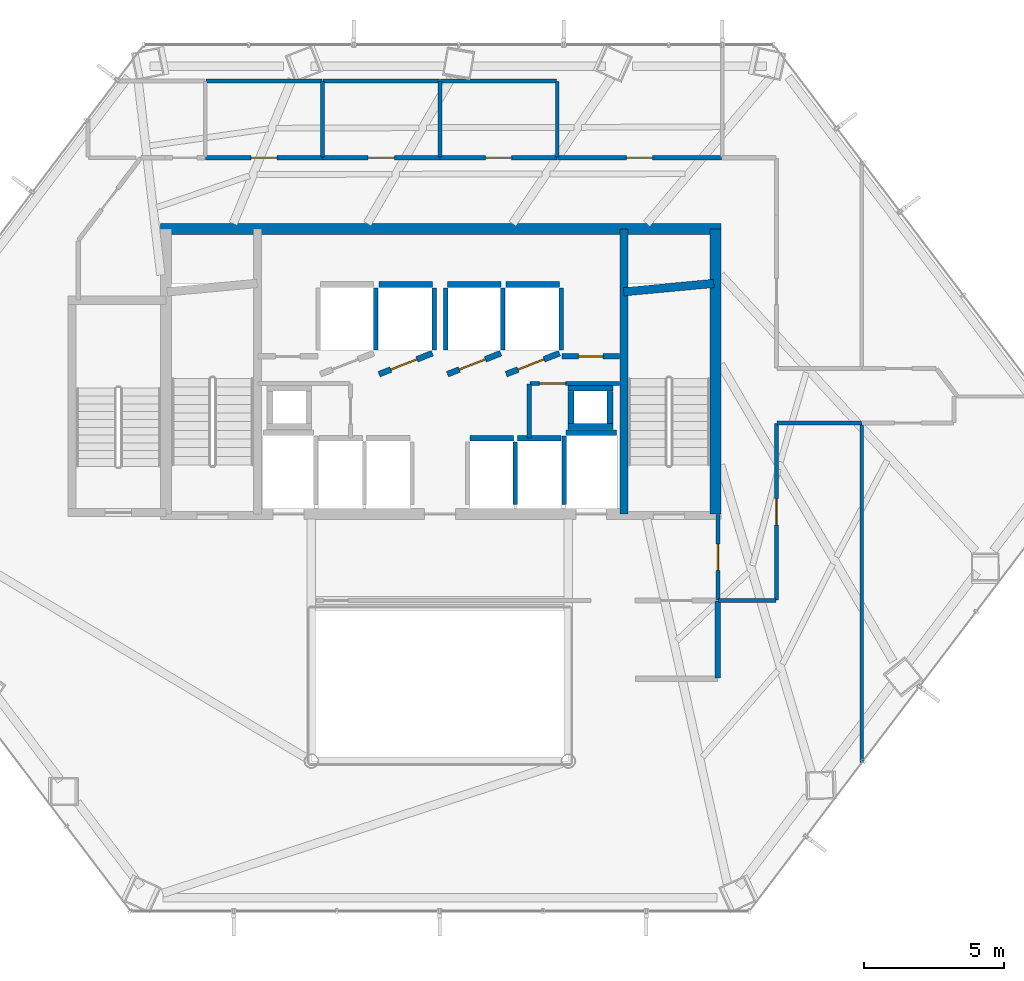
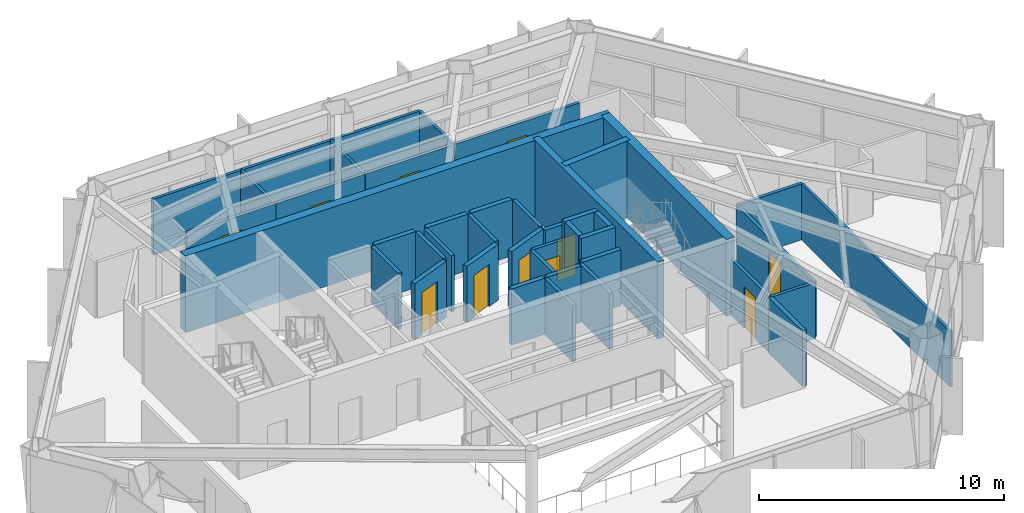
# One storey, part 25 of 27: 43 walls, 11 doors, 11 openings.
"""IFC4 building model written with IfcOpenShell, lengths in metres."""

from ifc_helpers import new_model, si_unit, direction, frame, frame_2d, origin, place, context, subcontext, project, spatial, rectangle, extrude, material, layer, layer_set, type_object, element, fill, save


model = new_model("IFC4")

# Units and contexts
model_context = context("Model", 3, precision=1e-05, world=origin(), true_north=direction((0.0, 1.0)))
body_context = subcontext(model_context, "Body", "Model", "MODEL_VIEW")
ifc_project = project(units=[si_unit("LENGTHUNIT", "METRE"), si_unit("AREAUNIT", "SQUARE_METRE"), si_unit("VOLUMEUNIT", "CUBIC_METRE"), si_unit("PLANEANGLEUNIT", "RADIAN"), si_unit("MASSUNIT", "GRAM", prefix="KILO")], contexts=[model_context])

# Site, building, storey
site_placement = place(None, origin())
site = spatial("IfcSite", under=ifc_project, at=site_placement, CompositionType="ELEMENT")
building_placement = place(site_placement, origin())
building = spatial("IfcBuilding", under=site, at=building_placement, Name="Zarrinselat Tower", CompositionType="ELEMENT")
storey_placement = place(building_placement, frame((0.0, 0.0, 47.93994140625)))
storey = spatial("IfcBuildingStorey", under=building, at=storey_placement, Name="L11", CompositionType="ELEMENT", Elevation=47.93994140625)

# Wall
ifc_material_1 = material(Name="Concrete C40/50", Category="concrete")
ifc_layer_1 = layer(ifc_material_1, 0.18994140625)
ifc_layer_set_1 = layer_set([ifc_layer_1], Name="Concrete C40/50")
wall_type_1 = type_object("IfcWallType", Name="WAL-PART-EI120", PredefinedType="PARTITIONING", material=ifc_layer_set_1)
wall_1_placement = place(storey_placement, frame((48.35009765625, 27.3701171875, 0.0), z_axis=(0.0, 0.0, 1.0), x_axis=(0.0, 1.0, 0.0)))
element("IfcWall", 1, at=wall_1_placement, inside=storey, type_object=wall_type_1, Name="L11 Partition Wall 11", PredefinedType="PARTITIONING", context=body_context, shape_type="SweptSolid", body=[
    extrude(rectangle(XDim=2.759765625, YDim=0.18994140625, at=frame_2d((1.3798828125, 0.0))), origin(), (0.0, 0.0, 1.0), 2.777099609375),
])

# Wall, opening, door
ifc_material_2 = material(Name="Fire-Rated Gypsum Board Partition", Category="gypsum")
ifc_layer_2 = layer(ifc_material_2, 0.14990234375)
ifc_layer_set_2 = layer_set([ifc_layer_2], Name="Fire-Rated Gypsum Board Partition")
wall_type_2 = type_object("IfcWallType", Name="WAL-PART-EI60", PredefinedType="PARTITIONING", material=ifc_layer_set_2)
wall_2_placement = place(storey_placement, frame((41.6201171875, 37.919921875, 0.0), z_axis=(0.0, 0.0, 1.0), x_axis=(1.0, 0.0, 0.0)))
wall_2 = element("IfcWall", 2, at=wall_2_placement, inside=storey, type_object=wall_type_2, Name="L11 Partition Wall 5", PredefinedType="PARTITIONING", context=body_context, shape_type="SweptSolid", body=[
    extrude(rectangle(XDim=3.21484375, YDim=0.14990234375, at=frame_2d((1.607421875, 0.0))), origin(), (0.0, 0.0, 1.0), 2.777099609375),
])
opening_1_placement = place(wall_2_placement, frame((0.33740234375, 0.0, 0.0)))
opening_1 = element("IfcOpeningElement", 3, at=opening_1_placement, cuts=wall_2, Name="Opening ID-04", PredefinedType="OPENING", context=body_context, shape_type="SweptSolid", body=[
    extrude(rectangle(XDim=0.93994140625, YDim=2.050048828125, at=frame_2d((0.469970703125, 1.02490234375))), frame((0.0, 0.0849609375, 0.0), z_axis=(0.0, -1.0, 0.0), x_axis=(1.0, 0.0, 0.0)), (0.0, 0.0, 1.0), 0.169921875),
])
ifc_material_3 = material(Name="Fire-Rated Gypsum Board Partition")
door_type_1 = type_object("IfcDoorType", Name="DR-INT-FD30-ENT", OperationType="NOTDEFINED", PredefinedType="DOOR", material=ifc_material_3)
door_1_placement = place(opening_1_placement, origin())
door_1 = element("IfcDoor", 4, at=door_1_placement, inside=storey, type_object=door_type_1, Name="L11 Interior Door P5", OperationType="SINGLE_SWING_RIGHT", OverallHeight=2.050048828125, OverallWidth=0.93994140625, PredefinedType="DOOR", context=body_context, shape_type="SweptSolid", body=[
    extrude(rectangle(XDim=0.93994140625, YDim=2.050048828125, at=frame_2d((0.469970703125, 1.02490234375))), frame((0.0, 0.02490234375, 0.0), z_axis=(0.0, -1.0, 0.0), x_axis=(1.0, 0.0, 0.0)), (0.0, 0.0, 1.0), 0.050048828125),
])
fill(opening_1, door_1)

# Wall
wall_3_placement = place(storey_placement, frame((41.60009765625, 35.969970703125, 0.0), z_axis=(0.0, 0.0, 1.0), x_axis=(0.0, 1.0, 0.0)))
element("IfcWall", 5, at=wall_3_placement, inside=storey, type_object=wall_type_2, Name="L11 Partition Wall 6", PredefinedType="PARTITIONING", context=body_context, shape_type="SweptSolid", body=[
    extrude(rectangle(XDim=1.929931640625, YDim=0.14990234375, at=frame_2d((0.96484375, 0.0))), origin(), (0.0, 0.0, 1.0), 2.777099609375),
])

# Wall, opening, door
wall_4_placement = place(storey_placement, frame((48.35009765625, 30.169921875, 0.0), z_axis=(0.0, 0.0, 1.0), x_axis=(0.0, 1.0, 0.0)))
wall_4 = element("IfcWall", 6, at=wall_4_placement, inside=storey, type_object=wall_type_2, Name="L11 Partition Wall 8", PredefinedType="PARTITIONING", context=body_context, shape_type="SweptSolid", body=[
    extrude(rectangle(XDim=3.06005859375, YDim=0.14990234375, at=frame_2d((1.530029296875, 0.0))), origin(), (0.0, 0.0, 1.0), 2.777099609375),
])
opening_2_placement = place(wall_4_placement, frame((1.06005859375, 0.0, 0.0)))
opening_2 = element("IfcOpeningElement", 7, at=opening_2_placement, cuts=wall_4, Name="Opening ID-04", PredefinedType="OPENING", context=body_context, shape_type="SweptSolid", body=[
    extrude(rectangle(XDim=0.93994140625, YDim=2.050048828125, at=frame_2d((0.469970703125, 1.02490234375))), frame((0.0, 0.0849609375, 0.0), z_axis=(0.0, -1.0, 0.0), x_axis=(1.0, 0.0, 0.0)), (0.0, 0.0, 1.0), 0.169921875),
])
door_2_placement = place(opening_2_placement, origin())
door_2 = element("IfcDoor", 8, at=door_2_placement, inside=storey, type_object=door_type_1, Name="L11 Interior Door P8", OperationType="SINGLE_SWING_RIGHT", OverallHeight=2.050048828125, OverallWidth=0.93994140625, PredefinedType="DOOR", context=body_context, shape_type="SweptSolid", body=[
    extrude(rectangle(XDim=0.93994140625, YDim=2.050048828125, at=frame_2d((0.469970703125, 1.02490234375))), frame((0.0, 0.02490234375, 0.0), z_axis=(0.0, -1.0, 0.0), x_axis=(1.0, 0.0, 0.0)), (0.0, 0.0, 1.0), 0.050048828125),
])
fill(opening_2, door_2)

wall_5_placement = place(storey_placement, frame((30.0048828125, 46.0, 0.0), z_axis=(0.0, 0.0, 1.0), x_axis=(1.0, 0.0, 0.0)))
wall_5 = element("IfcWall", 9, at=wall_5_placement, inside=storey, type_object=wall_type_2, Name="L11 Partition Wall 14", PredefinedType="PARTITIONING", context=body_context, shape_type="SweptSolid", body=[
    extrude(rectangle(XDim=4.190185546875, YDim=0.14990234375, at=frame_2d((2.09521484375, 0.0))), origin(), (0.0, 0.0, 1.0), 2.777099609375),
])
opening_3_placement = place(wall_5_placement, frame((1.625, 0.0, 0.0)))
opening_3 = element("IfcOpeningElement", 10, at=opening_3_placement, cuts=wall_5, Name="Opening ID-04", PredefinedType="OPENING", context=body_context, shape_type="SweptSolid", body=[
    extrude(rectangle(XDim=0.93994140625, YDim=2.050048828125, at=frame_2d((0.469970703125, 1.02490234375))), frame((0.0, 0.0849609375, 0.0), z_axis=(0.0, -1.0, 0.0), x_axis=(1.0, 0.0, 0.0)), (0.0, 0.0, 1.0), 0.169921875),
])
door_3_placement = place(opening_3_placement, origin())
door_3 = element("IfcDoor", 11, at=door_3_placement, inside=storey, type_object=door_type_1, Name="L11 Interior Door P14", OperationType="SINGLE_SWING_LEFT", OverallHeight=2.050048828125, OverallWidth=0.93994140625, PredefinedType="DOOR", context=body_context, shape_type="SweptSolid", body=[
    extrude(rectangle(XDim=0.93994140625, YDim=2.050048828125, at=frame_2d((0.469970703125, 1.02490234375))), frame((0.0, 0.02490234375, 0.0), z_axis=(0.0, -1.0, 0.0), x_axis=(1.0, 0.0, 0.0)), (0.0, 0.0, 1.0), 0.050048828125),
])
fill(opening_3, door_3)

wall_6_placement = place(storey_placement, frame((34.205078125, 46.0, 0.0), z_axis=(0.0, 0.0, 1.0), x_axis=(1.0, 0.0, 0.0)))
wall_6 = element("IfcWall", 12, at=wall_6_placement, inside=storey, type_object=wall_type_2, Name="L11 Partition Wall 15", PredefinedType="PARTITIONING", context=body_context, shape_type="SweptSolid", body=[
    extrude(rectangle(XDim=4.18994140625, YDim=0.14990234375, at=frame_2d((2.094970703125, 0.0))), origin(), (0.0, 0.0, 1.0), 2.777099609375),
])
opening_4_placement = place(wall_6_placement, frame((1.625, 0.0, 0.0)))
opening_4 = element("IfcOpeningElement", 13, at=opening_4_placement, cuts=wall_6, Name="Opening ID-04", PredefinedType="OPENING", context=body_context, shape_type="SweptSolid", body=[
    extrude(rectangle(XDim=0.93994140625, YDim=2.050048828125, at=frame_2d((0.469970703125, 1.02490234375))), frame((0.0, 0.0849609375, 0.0), z_axis=(0.0, -1.0, 0.0), x_axis=(1.0, 0.0, 0.0)), (0.0, 0.0, 1.0), 0.169921875),
])
door_4_placement = place(opening_4_placement, origin())
door_4 = element("IfcDoor", 14, at=door_4_placement, inside=storey, type_object=door_type_1, Name="L11 Interior Door P15", OperationType="SINGLE_SWING_RIGHT", OverallHeight=2.050048828125, OverallWidth=0.93994140625, PredefinedType="DOOR", context=body_context, shape_type="SweptSolid", body=[
    extrude(rectangle(XDim=0.93994140625, YDim=2.050048828125, at=frame_2d((0.469970703125, 1.02490234375))), frame((0.0, 0.02490234375, 0.0), z_axis=(0.0, -1.0, 0.0), x_axis=(1.0, 0.0, 0.0)), (0.0, 0.0, 1.0), 0.050048828125),
])
fill(opening_4, door_4)

wall_7_placement = place(storey_placement, frame((38.405029296875, 46.0, 0.0), z_axis=(0.0, 0.0, 1.0), x_axis=(1.0, 0.0, 0.0)))
wall_7 = element("IfcWall", 15, at=wall_7_placement, inside=storey, type_object=wall_type_2, Name="L11 Partition Wall 16", PredefinedType="PARTITIONING", context=body_context, shape_type="SweptSolid", body=[
    extrude(rectangle(XDim=4.18994140625, YDim=0.14990234375, at=frame_2d((2.094970703125, 0.0))), origin(), (0.0, 0.0, 1.0), 2.777099609375),
])
opening_5_placement = place(wall_7_placement, frame((1.625, 0.0, 0.0)))
opening_5 = element("IfcOpeningElement", 16, at=opening_5_placement, cuts=wall_7, Name="Opening ID-04", PredefinedType="OPENING", context=body_context, shape_type="SweptSolid", body=[
    extrude(rectangle(XDim=0.93994140625, YDim=2.050048828125, at=frame_2d((0.469970703125, 1.02490234375))), frame((0.0, 0.0849609375, 0.0), z_axis=(0.0, -1.0, 0.0), x_axis=(1.0, 0.0, 0.0)), (0.0, 0.0, 1.0), 0.169921875),
])
door_5_placement = place(opening_5_placement, origin())
door_5 = element("IfcDoor", 17, at=door_5_placement, inside=storey, type_object=door_type_1, Name="L11 Interior Door P16", OperationType="SINGLE_SWING_LEFT", OverallHeight=2.050048828125, OverallWidth=0.93994140625, PredefinedType="DOOR", context=body_context, shape_type="SweptSolid", body=[
    extrude(rectangle(XDim=0.93994140625, YDim=2.050048828125, at=frame_2d((0.469970703125, 1.02490234375))), frame((0.0, 0.02490234375, 0.0), z_axis=(0.0, -1.0, 0.0), x_axis=(1.0, 0.0, 0.0)), (0.0, 0.0, 1.0), 0.050048828125),
])
fill(opening_5, door_5)

# Wall
wall_8_placement = place(storey_placement, frame((50.469970703125, 36.5, 0.0), z_axis=(0.0, 0.0, 1.0), x_axis=(1.0, 0.0, 0.0)))
element("IfcWall", 18, at=wall_8_placement, inside=storey, type_object=wall_type_2, Name="L11 Partition Wall 17", PredefinedType="PARTITIONING", context=body_context, shape_type="SweptSolid", body=[
    extrude(rectangle(XDim=3.025146484375, YDim=0.14990234375, at=frame_2d((1.5126953125, 0.0))), origin(), (0.0, 0.0, 1.0), 2.777099609375),
])

# Wall, opening, door
wall_9_placement = place(storey_placement, frame((50.449951171875, 30.169921875, 0.0), z_axis=(0.0, 0.0, 1.0), x_axis=(0.0, 1.0, 0.0)))
wall_9 = element("IfcWall", 19, at=wall_9_placement, inside=storey, type_object=wall_type_2, Name="L11 Partition Wall 18", PredefinedType="PARTITIONING", context=body_context, shape_type="SweptSolid", body=[
    extrude(rectangle(XDim=6.31005859375, YDim=0.14990234375, at=frame_2d((3.155029296875, 0.0))), origin(), (0.0, 0.0, 1.0), 2.777099609375),
])
opening_6_placement = place(wall_9_placement, frame((2.68505859375, 0.0, 0.0)))
opening_6 = element("IfcOpeningElement", 20, at=opening_6_placement, cuts=wall_9, Name="Opening ID-04", PredefinedType="OPENING", context=body_context, shape_type="SweptSolid", body=[
    extrude(rectangle(XDim=0.93994140625, YDim=2.050048828125, at=frame_2d((0.469970703125, 1.02490234375))), frame((0.0, 0.0849609375, 0.0), z_axis=(0.0, -1.0, 0.0), x_axis=(1.0, 0.0, 0.0)), (0.0, 0.0, 1.0), 0.169921875),
])
door_6_placement = place(opening_6_placement, origin())
door_6 = element("IfcDoor", 21, at=door_6_placement, inside=storey, type_object=door_type_1, Name="L11 Interior Door P18", OperationType="SINGLE_SWING_RIGHT", OverallHeight=2.050048828125, OverallWidth=0.93994140625, PredefinedType="DOOR", context=body_context, shape_type="SweptSolid", body=[
    extrude(rectangle(XDim=0.93994140625, YDim=2.050048828125, at=frame_2d((0.469970703125, 1.02490234375))), frame((0.0, 0.02490234375, 0.0), z_axis=(0.0, -1.0, 0.0), x_axis=(1.0, 0.0, 0.0)), (0.0, 0.0, 1.0), 0.050048828125),
])
fill(opening_6, door_6)

# Wall
wall_10_placement = place(storey_placement, frame((48.3701171875, 30.14990234375, 0.0), z_axis=(0.0, 0.0, 1.0), x_axis=(1.0, 0.0, 0.0)))
element("IfcWall", 22, at=wall_10_placement, inside=storey, type_object=wall_type_2, Name="L11 Partition Wall 19", PredefinedType="PARTITIONING", context=body_context, shape_type="SweptSolid", body=[
    extrude(rectangle(XDim=2.059814453125, YDim=0.14990234375, at=frame_2d((1.02978515625, 0.0))), origin(), (0.0, 0.0, 1.0), 2.777099609375),
])

# Wall, opening, door
wall_11_placement = place(storey_placement, frame((42.60498046875, 46.0, 0.0), z_axis=(0.0, 0.0, 1.0), x_axis=(1.0, 0.0, 0.0)))
wall_11 = element("IfcWall", 23, at=wall_11_placement, inside=storey, type_object=wall_type_2, Name="L11 Partition Wall 30", PredefinedType="PARTITIONING", context=body_context, shape_type="SweptSolid", body=[
    extrude(rectangle(XDim=5.880126953125, YDim=0.14990234375, at=frame_2d((2.93994140625, 0.0))), origin(), (0.0, 0.0, 1.0), 2.777099609375),
])
opening_7_placement = place(wall_11_placement, frame((2.469970703125, 0.0, 0.0)))
opening_7 = element("IfcOpeningElement", 24, at=opening_7_placement, cuts=wall_11, Name="Opening ID-04", PredefinedType="OPENING", context=body_context, shape_type="SweptSolid", body=[
    extrude(rectangle(XDim=0.93994140625, YDim=2.050048828125, at=frame_2d((0.469970703125, 1.02490234375))), frame((0.0, 0.0849609375, 0.0), z_axis=(0.0, -1.0, 0.0), x_axis=(1.0, 0.0, 0.0)), (0.0, 0.0, 1.0), 0.169921875),
])
door_7_placement = place(opening_7_placement, origin())
door_7 = element("IfcDoor", 25, at=door_7_placement, inside=storey, type_object=door_type_1, Name="L11 Interior Door P30", OperationType="SINGLE_SWING_LEFT", OverallHeight=2.050048828125, OverallWidth=0.93994140625, PredefinedType="DOOR", context=body_context, shape_type="SweptSolid", body=[
    extrude(rectangle(XDim=0.93994140625, YDim=2.050048828125, at=frame_2d((0.469970703125, 1.02490234375))), frame((0.0, 0.02490234375, 0.0), z_axis=(0.0, -1.0, 0.0), x_axis=(1.0, 0.0, 0.0)), (0.0, 0.0, 1.0), 0.050048828125),
])
fill(opening_7, door_7)

ifc_material_4 = material(Name="Concrete C40/50", Category="concrete")
ifc_layer_3 = layer(ifc_material_4, 0.199951171875)
ifc_layer_set_3 = layer_set([ifc_layer_3], Name="Concrete C40/50")
wall_type_3 = type_object("IfcWallType", Name="WAL-PART-PLANT", PredefinedType="PARTITIONING", material=ifc_layer_set_3)
wall_12_placement = place(storey_placement, frame((42.764892578125, 38.889892578125, 0.0), z_axis=(0.0, 0.0, 1.0), x_axis=(1.0, 0.0, 0.0)))
wall_12 = element("IfcWall", 26, at=wall_12_placement, inside=storey, type_object=wall_type_3, Name="L11 Partition Wall 4", PredefinedType="PARTITIONING", context=body_context, shape_type="SweptSolid", body=[
    extrude(rectangle(XDim=2.070068359375, YDim=0.199951171875, at=frame_2d((1.03515625, 0.0))), origin(), (0.0, 0.0, 1.0), 2.777099609375),
])
opening_8_placement = place(wall_12_placement, frame((0.594970703125, 0.0, 0.0)))
opening_8 = element("IfcOpeningElement", 27, at=opening_8_placement, cuts=wall_12, Name="Opening ID-03", PredefinedType="OPENING", context=body_context, shape_type="SweptSolid", body=[
    extrude(rectangle(XDim=0.8798828125, YDim=2.050048828125, at=frame_2d((0.43994140625, 1.02490234375))), frame((0.0, 0.10986328125, 0.0), z_axis=(0.0, -1.0, 0.0), x_axis=(1.0, 0.0, 0.0)), (0.0, 0.0, 1.0), 0.219970703125),
])
ifc_material_5 = material(Name="Steel S355J2", Category="steel")
door_type_2 = type_object("IfcDoorType", Name="DR-INT-FD60-S", OperationType="NOTDEFINED", PredefinedType="DOOR", material=ifc_material_5)
door_8_placement = place(opening_8_placement, origin())
door_8 = element("IfcDoor", 28, at=door_8_placement, inside=storey, type_object=door_type_2, Name="L11 Interior Door P4", OperationType="SINGLE_SWING_LEFT", OverallHeight=2.050048828125, OverallWidth=0.8798828125, PredefinedType="DOOR", context=body_context, shape_type="SweptSolid", body=[
    extrude(rectangle(XDim=0.8798828125, YDim=2.050048828125, at=frame_2d((0.43994140625, 1.02490234375))), frame((0.0, 0.02490234375, 0.0), z_axis=(0.0, -1.0, 0.0), x_axis=(1.0, 0.0, 0.0)), (0.0, 0.0, 1.0), 0.050048828125),
])
fill(opening_8, door_8)

# Walls
ifc_material_6 = material(Name="Fire-Rated Gypsum Board Partition", Category="gypsum")
ifc_layer_4 = layer(ifc_material_6, 0.1201171875)
ifc_layer_set_4 = layer_set([ifc_layer_4], Name="Fire-Rated Gypsum Board Partition")
wall_type_4 = type_object("IfcWallType", Name="WAL-PART-STD", PredefinedType="PARTITIONING", material=ifc_layer_set_4)
wall_13_placement = place(storey_placement, frame((53.5, 24.351318359375, 0.0), z_axis=(0.0, 0.0, 1.0), x_axis=(0.0, 1.0, 0.0)))
element("IfcWall", 29, at=wall_13_placement, inside=storey, type_object=wall_type_4, Name="L11 Partition Wall 41", PredefinedType="PARTITIONING", context=body_context, shape_type="SweptSolid", body=[
    extrude(rectangle(XDim=12.128662109375, YDim=0.1201171875, at=frame_2d((6.064453125, 0.0))), origin(), (0.0, 0.0, 1.0), 2.777099609375),
])
ifc_material_7 = material(Name="Fire-Rated Gypsum Board Partition", Category="gypsum")
ifc_layer_5 = layer(ifc_material_7, 0.135009765625)
ifc_layer_set_5 = layer_set([ifc_layer_5], Name="Fire-Rated Gypsum Board Partition")
wall_type_5 = type_object("IfcWallType", Name="WAL-PART-WET", PredefinedType="PARTITIONING", material=ifc_layer_set_5)
wall_14_placement = place(storey_placement, frame((34.199951171875, 46.02001953125, 0.0), z_axis=(0.0, 0.0, 1.0), x_axis=(0.0, 1.0, 0.0)))
element("IfcWall", 30, at=wall_14_placement, inside=storey, type_object=wall_type_5, Name="L11 Partition Wall 35", PredefinedType="PARTITIONING", context=body_context, shape_type="SweptSolid", body=[
    extrude(rectangle(XDim=2.7099609375, YDim=0.135009765625, at=frame_2d((1.35498046875, 0.0))), origin(), (0.0, 0.0, 1.0), 2.777099609375),
])
wall_15_placement = place(storey_placement, frame((30.02001953125, 48.75, 0.0), z_axis=(0.0, 0.0, 1.0), x_axis=(1.0, 0.0, 0.0)))
element("IfcWall", 31, at=wall_15_placement, inside=storey, type_object=wall_type_5, Name="L11 Partition Wall 36", PredefinedType="PARTITIONING", context=body_context, shape_type="SweptSolid", body=[
    extrude(rectangle(XDim=4.159912109375, YDim=0.135009765625, at=frame_2d((2.080078125, 0.0))), origin(), (0.0, 0.0, 1.0), 2.777099609375),
])
wall_16_placement = place(storey_placement, frame((38.39990234375, 46.02001953125, 0.0), z_axis=(0.0, 0.0, 1.0), x_axis=(0.0, 1.0, 0.0)))
element("IfcWall", 32, at=wall_16_placement, inside=storey, type_object=wall_type_5, Name="L11 Partition Wall 37", PredefinedType="PARTITIONING", context=body_context, shape_type="SweptSolid", body=[
    extrude(rectangle(XDim=2.7099609375, YDim=0.135009765625, at=frame_2d((1.35498046875, 0.0))), origin(), (0.0, 0.0, 1.0), 2.777099609375),
])
wall_17_placement = place(storey_placement, frame((34.219970703125, 48.75, 0.0), z_axis=(0.0, 0.0, 1.0), x_axis=(1.0, 0.0, 0.0)))
element("IfcWall", 33, at=wall_17_placement, inside=storey, type_object=wall_type_5, Name="L11 Partition Wall 38", PredefinedType="PARTITIONING", context=body_context, shape_type="SweptSolid", body=[
    extrude(rectangle(XDim=4.159912109375, YDim=0.135009765625, at=frame_2d((2.080078125, 0.0))), origin(), (0.0, 0.0, 1.0), 2.777099609375),
])
wall_18_placement = place(storey_placement, frame((38.419921875, 48.75, 0.0), z_axis=(0.0, 0.0, 1.0), x_axis=(1.0, 0.0, 0.0)))
element("IfcWall", 34, at=wall_18_placement, inside=storey, type_object=wall_type_5, Name="L11 Partition Wall 39", PredefinedType="PARTITIONING", context=body_context, shape_type="SweptSolid", body=[
    extrude(rectangle(XDim=4.16015625, YDim=0.135009765625, at=frame_2d((2.080078125, 0.0))), origin(), (0.0, 0.0, 1.0), 2.777099609375),
])
wall_19_placement = place(storey_placement, frame((42.60009765625, 46.02001953125, 0.0), z_axis=(0.0, 0.0, 1.0), x_axis=(0.0, 1.0, 0.0)))
element("IfcWall", 35, at=wall_19_placement, inside=storey, type_object=wall_type_5, Name="L11 Partition Wall 40", PredefinedType="PARTITIONING", context=body_context, shape_type="SweptSolid", body=[
    extrude(rectangle(XDim=2.7099609375, YDim=0.135009765625, at=frame_2d((1.35498046875, 0.0))), origin(), (0.0, 0.0, 1.0), 2.777099609375),
])
ifc_material_8 = material(Name="Concrete C40/50", Category="concrete")
ifc_layer_6 = layer(ifc_material_8, 0.2099609375)
ifc_layer_set_6 = layer_set([ifc_layer_6], Name="Concrete C40/50")
wall_type_6 = type_object("IfcWallType", Name="WAL-SHAFT-210", PredefinedType="SOLIDWALL", material=ifc_layer_set_6)
wall_20_placement = place(storey_placement, frame((42.919921875, 36.155029296875, 0.0), z_axis=(0.0, 0.0, 1.0), x_axis=(1.0, 0.0, 0.0)))
element("IfcWall", 36, at=wall_20_placement, inside=storey, type_object=wall_type_6, Name="L11 Lift FFL2 North Shaft Wall", PredefinedType="SOLIDWALL", context=body_context, shape_type="SweptSolid", body=[
    extrude(rectangle(XDim=1.800048828125, YDim=0.2099609375, at=frame_2d((0.89990234375, 0.0))), origin(), (0.0, 0.0, 1.0), 2.7919921875),
])
wall_21_placement = place(storey_placement, frame((42.85009765625, 33.580078125, 0.0), z_axis=(0.0, 0.0, 1.0), x_axis=(0.0, 1.0, 0.0)))
element("IfcWall", 37, at=wall_21_placement, inside=storey, type_object=wall_type_6, Name="L11 Lift FFL2 W Shaft Wall", PredefinedType="SOLIDWALL", context=body_context, shape_type="SweptSolid", body=[
    extrude(rectangle(XDim=2.449951171875, YDim=0.159912109375, at=frame_2d((1.22509765625, 0.0))), origin(), (0.0, 0.0, 1.0), 2.7919921875),
])
wall_22_placement = place(storey_placement, frame((36.10009765625, 39.1201171875, 0.0), z_axis=(0.0, 0.0, 1.0), x_axis=(0.0, 1.0, 0.0)))
element("IfcWall", 38, at=wall_22_placement, inside=storey, type_object=wall_type_6, Name="L11 Lift PL1 E Shaft Wall", PredefinedType="SOLIDWALL", context=body_context, shape_type="SweptSolid", body=[
    extrude(rectangle(XDim=2.2099609375, YDim=0.159912109375, at=frame_2d((1.10498046875, 0.0))), origin(), (0.0, 0.0, 1.0), 2.7919921875),
])

# Wall, opening, door
wall_23_placement = place(storey_placement, frame((36.219970703125, 38.25, 0.0), z_axis=(0.0, 0.0, 1.0), x_axis=(0.930804993012, 0.36551616241, 0.0)))
wall_23 = element("IfcWall", 39, at=wall_23_placement, inside=storey, type_object=wall_type_6, Name="L11 Lift PL2 Front Shaft Wall", PredefinedType="SOLIDWALL", context=body_context, shape_type="SweptSolid", body=[
    extrude(rectangle(XDim=2.052001953125, YDim=0.2099609375, at=frame_2d((1.02587890625, 0.0))), origin(), (0.0, 0.0, 1.0), 2.7919921875),
])
opening_9_placement = place(wall_23_placement, frame((0.455078125, 0.0, 0.0)))
opening_9 = element("IfcOpeningElement", 40, at=opening_9_placement, cuts=wall_23, Name="Opening LD-PL2", PredefinedType="OPENING", context=body_context, shape_type="SweptSolid", body=[
    extrude(rectangle(XDim=1.0, YDim=2.10009765625, at=frame_2d((0.5, 1.050048828125))), frame((0.0, 0.114990234375, 0.0), z_axis=(0.0, -1.0, 0.0), x_axis=(1.0, 0.0, 0.0)), (0.0, 0.0, 1.0), 0.22998046875),
])
ifc_material_9 = material(Name="Steel S355J2", Category="steel")
door_type_3 = type_object("IfcDoorType", Name="DR-LIFT-PS-1000", OperationType="NOTDEFINED", PredefinedType="DOOR", material=ifc_material_9)
door_9_placement = place(opening_9_placement, origin())
door_9 = element("IfcDoor", 41, at=door_9_placement, inside=storey, type_object=door_type_3, Name="L11 Lift PL2 Sliding Landing Door", OperationType="SLIDING_TO_RIGHT", OverallHeight=2.10009765625, OverallWidth=1.0, PredefinedType="DOOR", context=body_context, shape_type="SweptSolid", body=[
    extrude(rectangle(XDim=1.0, YDim=2.10009765625, at=frame_2d((0.5, 1.050048828125))), frame((0.0, 0.02490234375, 0.0), z_axis=(0.0, -1.0, 0.0), x_axis=(1.0, 0.0, 0.0)), (0.0, 0.0, 1.0), 0.050048828125),
])
fill(opening_9, door_9)

# Walls
wall_24_placement = place(storey_placement, frame((36.219970703125, 41.455078125, 0.0), z_axis=(0.0, 0.0, 1.0), x_axis=(1.0, 0.0, 0.0)))
element("IfcWall", 42, at=wall_24_placement, inside=storey, type_object=wall_type_6, Name="L11 Lift PL2 Rear Shaft Wall", PredefinedType="SOLIDWALL", context=body_context, shape_type="SweptSolid", body=[
    extrude(rectangle(XDim=1.909912109375, YDim=0.2099609375, at=frame_2d((0.955078125, 0.0))), origin(), (0.0, 0.0, 1.0), 2.7919921875),
])
wall_25_placement = place(storey_placement, frame((38.199951171875, 39.1201171875, 0.0), z_axis=(0.0, 0.0, 1.0), x_axis=(0.0, 1.0, 0.0)))
element("IfcWall", 43, at=wall_25_placement, inside=storey, type_object=wall_type_6, Name="L11 Lift PL2 E Shaft Wall", PredefinedType="SOLIDWALL", context=body_context, shape_type="SweptSolid", body=[
    extrude(rectangle(XDim=2.2099609375, YDim=0.159912109375, at=frame_2d((1.10498046875, 0.0))), origin(), (0.0, 0.0, 1.0), 2.7919921875),
])

# Wall, opening, door
wall_26_placement = place(storey_placement, frame((38.669921875, 38.25, 0.0), z_axis=(0.0, 0.0, 1.0), x_axis=(0.930820886763, 0.3654756856, 0.0)))
wall_26 = element("IfcWall", 44, at=wall_26_placement, inside=storey, type_object=wall_type_6, Name="L11 Lift PL3 Front Shaft Wall", PredefinedType="SOLIDWALL", context=body_context, shape_type="SweptSolid", body=[
    extrude(rectangle(XDim=2.052001953125, YDim=0.2099609375, at=frame_2d((1.02587890625, 0.0))), origin(), (0.0, 0.0, 1.0), 2.7919921875),
])
opening_10_placement = place(wall_26_placement, frame((0.455078125, 0.0, 0.0)))
opening_10 = element("IfcOpeningElement", 45, at=opening_10_placement, cuts=wall_26, Name="Opening LD-PL3", PredefinedType="OPENING", context=body_context, shape_type="SweptSolid", body=[
    extrude(rectangle(XDim=1.0, YDim=2.10009765625, at=frame_2d((0.5, 1.050048828125))), frame((0.0, 0.114990234375, 0.0), z_axis=(0.0, -1.0, 0.0), x_axis=(1.0, 0.0, 0.0)), (0.0, 0.0, 1.0), 0.22998046875),
])
door_10_placement = place(opening_10_placement, origin())
door_10 = element("IfcDoor", 46, at=door_10_placement, inside=storey, type_object=door_type_3, Name="L11 Lift PL3 Sliding Landing Door", OperationType="SLIDING_TO_LEFT", OverallHeight=2.10009765625, OverallWidth=1.0, PredefinedType="DOOR", context=body_context, shape_type="SweptSolid", body=[
    extrude(rectangle(XDim=1.0, YDim=2.10009765625, at=frame_2d((0.5, 1.050048828125))), frame((0.0, 0.02490234375, 0.0), z_axis=(0.0, -1.0, 0.0), x_axis=(1.0, 0.0, 0.0)), (0.0, 0.0, 1.0), 0.050048828125),
])
fill(opening_10, door_10)

# Walls
wall_27_placement = place(storey_placement, frame((38.669921875, 41.455078125, 0.0), z_axis=(0.0, 0.0, 1.0), x_axis=(1.0, 0.0, 0.0)))
element("IfcWall", 47, at=wall_27_placement, inside=storey, type_object=wall_type_6, Name="L11 Lift PL3 Rear Shaft Wall", PredefinedType="SOLIDWALL", context=body_context, shape_type="SweptSolid", body=[
    extrude(rectangle(XDim=1.91015625, YDim=0.2099609375, at=frame_2d((0.955078125, 0.0))), origin(), (0.0, 0.0, 1.0), 2.7919921875),
])
for number, where, z_axis, x_axis, name in (
    (48, (38.60009765625, 39.1201171875, 0.0), (0.0, 0.0, 1.0), (0.0, 1.0, 0.0), "L11 Lift PL3 W Shaft Wall"),
    (49, (40.64990234375, 39.1201171875, 0.0), (0.0, 0.0, 1.0), (0.0, 1.0, 0.0), "L11 Lift PL3 E Shaft Wall"),
):
    element("IfcWall", number, at=place(storey_placement, frame(where, z_axis=z_axis, x_axis=x_axis)), inside=storey, type_object=wall_type_6, Name=name, PredefinedType="SOLIDWALL", context=body_context, shape_type="SweptSolid", body=[
        extrude(rectangle(XDim=2.2099609375, YDim=0.159912109375, at=frame_2d((1.10498046875, 0.0))), origin(), (0.0, 0.0, 1.0), 2.7919921875),
    ])

# Wall, opening, door
wall_28_placement = place(storey_placement, frame((40.77001953125, 38.25, 0.0), z_axis=(0.0, 0.0, 1.0), x_axis=(0.930804993012, 0.36551616241, 0.0)))
wall_28 = element("IfcWall", 50, at=wall_28_placement, inside=storey, type_object=wall_type_6, Name="L11 Lift PL4 Front Shaft Wall", PredefinedType="SOLIDWALL", context=body_context, shape_type="SweptSolid", body=[
    extrude(rectangle(XDim=2.052001953125, YDim=0.2099609375, at=frame_2d((1.02587890625, 0.0))), origin(), (0.0, 0.0, 1.0), 2.7919921875),
])
opening_11_placement = place(wall_28_placement, frame((0.455078125, 0.0, 0.0)))
opening_11 = element("IfcOpeningElement", 51, at=opening_11_placement, cuts=wall_28, Name="Opening LD-PL4", PredefinedType="OPENING", context=body_context, shape_type="SweptSolid", body=[
    extrude(rectangle(XDim=1.0, YDim=2.10009765625, at=frame_2d((0.5, 1.050048828125))), frame((0.0, 0.114990234375, 0.0), z_axis=(0.0, -1.0, 0.0), x_axis=(1.0, 0.0, 0.0)), (0.0, 0.0, 1.0), 0.22998046875),
])
door_11_placement = place(opening_11_placement, origin())
door_11 = element("IfcDoor", 52, at=door_11_placement, inside=storey, type_object=door_type_3, Name="L11 Lift PL4 Sliding Landing Door", OperationType="SLIDING_TO_RIGHT", OverallHeight=2.10009765625, OverallWidth=1.0, PredefinedType="DOOR", context=body_context, shape_type="SweptSolid", body=[
    extrude(rectangle(XDim=1.0, YDim=2.10009765625, at=frame_2d((0.5, 1.050048828125))), frame((0.0, 0.02490234375, 0.0), z_axis=(0.0, -1.0, 0.0), x_axis=(1.0, 0.0, 0.0)), (0.0, 0.0, 1.0), 0.050048828125),
])
fill(opening_11, door_11)

# Walls
wall_29_placement = place(storey_placement, frame((40.77001953125, 41.455078125, 0.0), z_axis=(0.0, 0.0, 1.0), x_axis=(1.0, 0.0, 0.0)))
element("IfcWall", 53, at=wall_29_placement, inside=storey, type_object=wall_type_6, Name="L11 Lift PL4 Rear Shaft Wall", PredefinedType="SOLIDWALL", context=body_context, shape_type="SweptSolid", body=[
    extrude(rectangle(XDim=1.909912109375, YDim=0.2099609375, at=frame_2d((0.955078125, 0.0))), origin(), (0.0, 0.0, 1.0), 2.7919921875),
])
wall_30_placement = place(storey_placement, frame((42.75, 39.1201171875, 0.0), z_axis=(0.0, 0.0, 1.0), x_axis=(0.0, 1.0, 0.0)))
element("IfcWall", 54, at=wall_30_placement, inside=storey, type_object=wall_type_6, Name="L11 Lift PL4 E Shaft Wall", PredefinedType="SOLIDWALL", context=body_context, shape_type="SweptSolid", body=[
    extrude(rectangle(XDim=2.2099609375, YDim=0.159912109375, at=frame_2d((1.10498046875, 0.0))), origin(), (0.0, 0.0, 1.0), 2.7919921875),
])
wall_31_placement = place(storey_placement, frame((39.469970703125, 35.955078125, 0.0), z_axis=(0.0, 0.0, 1.0), x_axis=(1.0, 0.0, 0.0)))
element("IfcWall", 55, at=wall_31_placement, inside=storey, type_object=wall_type_6, Name="L11 Lift PL8 North Shaft Wall", PredefinedType="SOLIDWALL", context=body_context, shape_type="SweptSolid", body=[
    extrude(rectangle(XDim=1.56005859375, YDim=0.2099609375, at=frame_2d((0.780029296875, 0.0))), origin(), (0.0, 0.0, 1.0), 2.7919921875),
])
wall_32_placement = place(storey_placement, frame((41.10009765625, 33.580078125, 0.0), z_axis=(0.0, 0.0, 1.0), x_axis=(0.0, 1.0, 0.0)))
element("IfcWall", 56, at=wall_32_placement, inside=storey, type_object=wall_type_6, Name="L11 Lift PL8 E Shaft Wall", PredefinedType="SOLIDWALL", context=body_context, shape_type="SweptSolid", body=[
    extrude(rectangle(XDim=2.25, YDim=0.159912109375, at=frame_2d((1.125, 0.0))), origin(), (0.0, 0.0, 1.0), 2.7919921875),
])
wall_33_placement = place(storey_placement, frame((41.169921875, 35.955078125, 0.0), z_axis=(0.0, 0.0, 1.0), x_axis=(1.0, 0.0, 0.0)))
element("IfcWall", 57, at=wall_33_placement, inside=storey, type_object=wall_type_6, Name="L11 Lift PL9 North Shaft Wall", PredefinedType="SOLIDWALL", context=body_context, shape_type="SweptSolid", body=[
    extrude(rectangle(XDim=1.56005859375, YDim=0.2099609375, at=frame_2d((0.780029296875, 0.0))), origin(), (0.0, 0.0, 1.0), 2.7919921875),
])
for number, where, z_axis, x_axis, name in (
    (58, (42.989990234375, 36.375, 0.0), (0.0, 0.0, 1.0), (1.0, 0.0, 0.0), "L11 Core Riser RSR-E S Shaft Wall"),
    (59, (42.989990234375, 37.7451171875, 0.0), (0.0, 0.0, 1.0), (1.0, 0.0, 0.0), "L11 Core Riser RSR-E N Shaft Wall"),
):
    element("IfcWall", number, at=place(storey_placement, frame(where, z_axis=z_axis, x_axis=x_axis)), inside=storey, type_object=wall_type_6, Name=name, PredefinedType="SOLIDWALL", context=body_context, shape_type="SweptSolid", body=[
        extrude(rectangle(XDim=1.60009765625, YDim=0.2099609375, at=frame_2d((0.800048828125, 0.0))), origin(), (0.0, 0.0, 1.0), 3.820068359375),
    ])
for number, where, z_axis, x_axis, name in (
    (60, (43.094970703125, 36.485107421875, 0.0), (0.0, 0.0, 1.0), (0.0, 1.0, 0.0), "L11 Core Riser RSR-E W Shaft Wall"),
    (61, (44.485107421875, 36.485107421875, 0.0), (0.0, 0.0, 1.0), (0.0, 1.0, 0.0), "L11 Core Riser RSR-E E Shaft Wall"),
):
    element("IfcWall", number, at=place(storey_placement, frame(where, z_axis=z_axis, x_axis=x_axis)), inside=storey, type_object=wall_type_6, Name=name, PredefinedType="SOLIDWALL", context=body_context, shape_type="SweptSolid", body=[
        extrude(rectangle(XDim=1.14990234375, YDim=0.2099609375, at=frame_2d((0.574951171875, 0.0))), origin(), (0.0, 0.0, 1.0), 3.820068359375),
    ])
ifc_material_10 = material(Name="Concrete C40/50", Category="concrete")
ifc_layer_7 = layer(ifc_material_10, 0.300048828125)
ifc_layer_set_7 = layer_set([ifc_layer_7], Name="Concrete C40/50")
wall_type_7 = type_object("IfcWallType", Name="WAL-SHEAR-300", PredefinedType="SHEAR", material=ifc_layer_set_7)
wall_34_placement = place(storey_placement, frame((44.989990234375, 33.25, 0.0), z_axis=(0.0, 0.0, 1.0), x_axis=(0.0, 1.0, 0.0)))
element("IfcWall", 62, at=wall_34_placement, inside=storey, type_object=wall_type_7, Name="L11 Core Shear Wall ST2W", PredefinedType="SHEAR", context=body_context, shape_type="SweptSolid", body=[
    extrude(rectangle(XDim=10.199951171875, YDim=0.300048828125, at=frame_2d((5.10009765625, 0.0))), origin(), (0.0, 0.0, 1.0), 3.820068359375),
])
wall_35_placement = place(storey_placement, frame((44.97998046875, 41.199951171875, 0.0), z_axis=(0.0, 0.0, 1.0), x_axis=(0.995686468965, 0.09278176286, 0.0)))
element("IfcWall", 63, at=wall_35_placement, inside=storey, type_object=wall_type_7, Name="L11 Stair 2 North Shaft Wall", PredefinedType="SHEAR", context=body_context, shape_type="SweptSolid", body=[
    extrude(rectangle(XDim=3.23388671875, YDim=0.300048828125, at=frame_2d((1.616943359375, 0.0))), origin(), (0.0, 0.0, 1.0), 3.820068359375),
])
ifc_material_11 = material(Name="Concrete C60/75", Category="concrete")
ifc_layer_8 = layer(ifc_material_11, 0.39990234375)
ifc_layer_set_8 = layer_set([ifc_layer_8], Name="Concrete C60/75")
wall_type_8 = type_object("IfcWallType", Name="WAL-SHEAR-400", PredefinedType="SHEAR", material=ifc_layer_set_8)
wall_36_placement = place(storey_placement, frame((28.39990234375, 43.449951171875, 0.0), z_axis=(0.0, 0.0, 1.0), x_axis=(1.0, 0.0, 0.0)))
element("IfcWall", 64, at=wall_36_placement, inside=storey, type_object=wall_type_8, Name="L11 North Core Shear Wall", PredefinedType="SHEAR", context=body_context, shape_type="SweptSolid", body=[
    extrude(rectangle(XDim=20.06005859375, YDim=0.39990234375, at=frame_2d((10.030029296875, 0.0))), origin(), (0.0, 0.0, 1.0), 3.820068359375),
])
wall_37_placement = place(storey_placement, frame((48.260009765625, 33.25, 0.0), z_axis=(0.0, 0.0, 1.0), x_axis=(0.0, 1.0, 0.0)))
element("IfcWall", 65, at=wall_37_placement, inside=storey, type_object=wall_type_8, Name="L11 Core Shear Wall E", PredefinedType="SHEAR", context=body_context, shape_type="SweptSolid", body=[
    extrude(rectangle(XDim=10.199951171875, YDim=0.39990234375, at=frame_2d((5.10009765625, 0.0))), origin(), (0.0, 0.0, 1.0), 3.820068359375),
])

save(model, "model.ifc")
